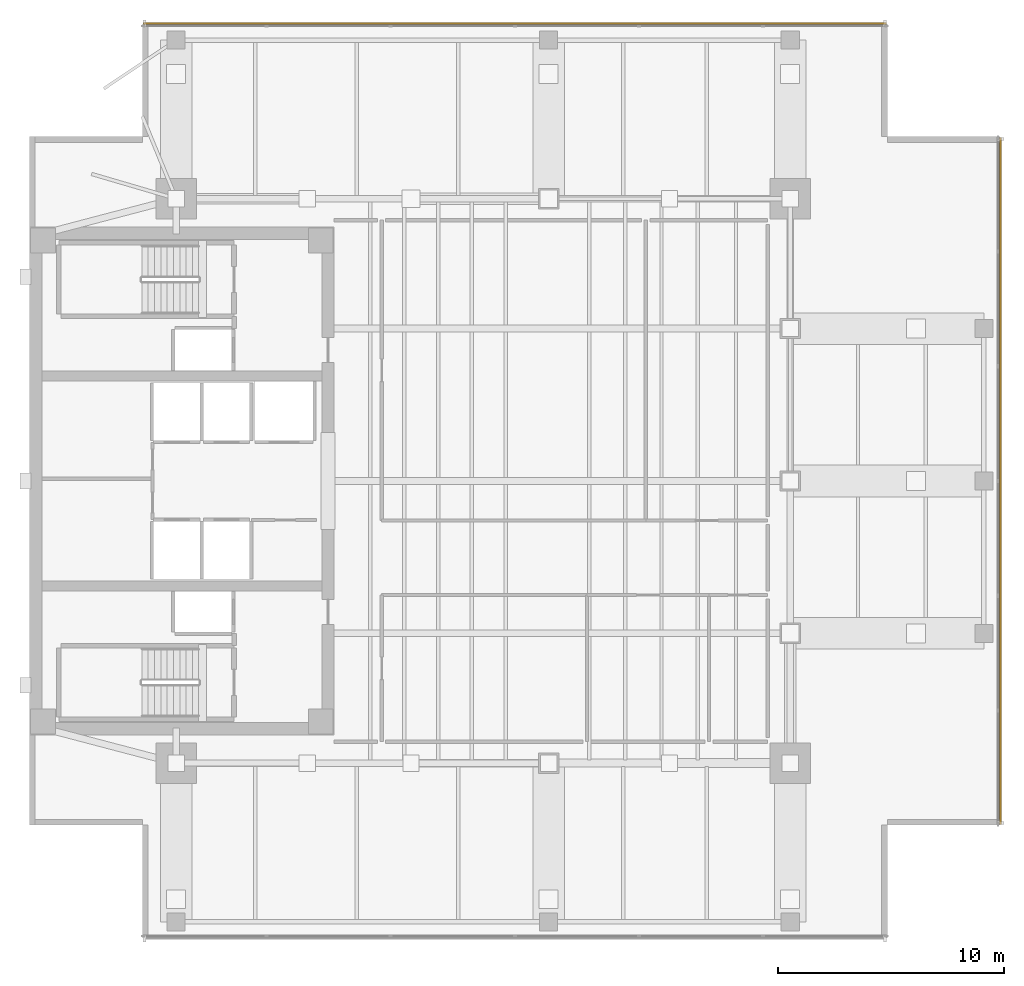
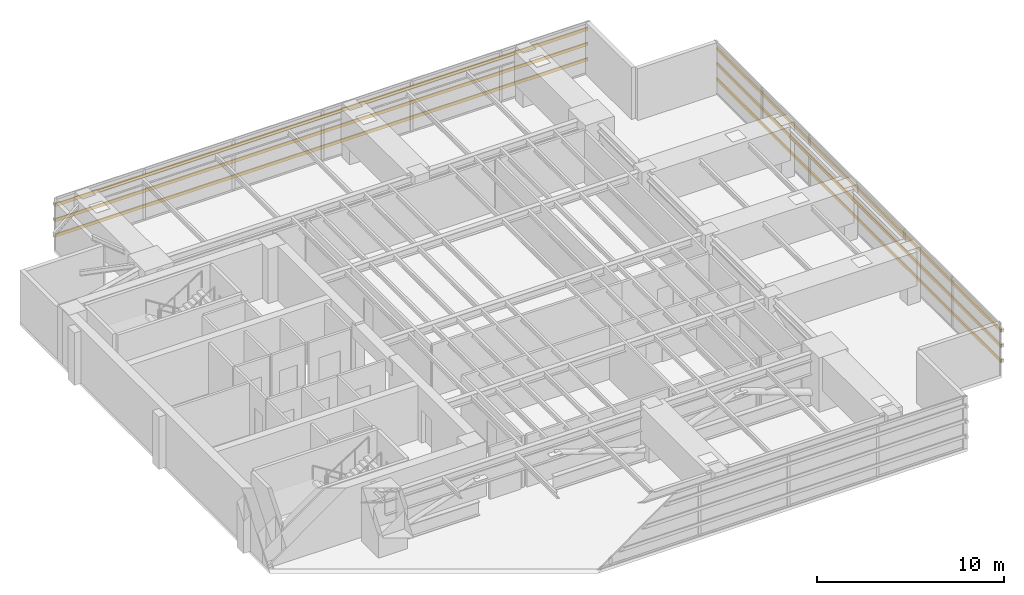
# One storey, part 13 of 13: 6 shading devices.
"""IFC4 building model written with IfcOpenShell, lengths in metres."""

import ifcopenshell
import ifcopenshell.guid

model = None  # the IFC model being written
_history = None  # IfcOwnerHistory: only IFC2X3 demands one
_inside = {}  # id of a spatial element -> (the spatial element, [elements in it])
_under = {}  # id of a project, library or spatial element -> (it, [spatial elements below it])
_declared = {}  # id of a project -> (the project, [libraries it declares])
_typed = {}  # id of a type object -> (the type object, [elements of that type])
_made_of = {}  # id of a material, layer set ... -> (it, [elements and type objects made of it])


def new_model(schema):
    """Start an empty IFC model of exactly this schema.

    Asked for "IFC4X3", IfcOpenShell would pick the latest addendum, in which some entities
    have other attributes; the version numbers below select the first issue.
    IFC2X3 requires an IfcOwnerHistory on every rooted entity: one is made here for all.
    """
    global model, _history
    if schema == "IFC4X3":
        model = ifcopenshell.file(schema_version=(4, 3, 0, 0))
    else:
        model = ifcopenshell.file(schema=schema)
    _inside.clear()
    _under.clear()
    _declared.clear()
    _typed.clear()
    _made_of.clear()
    _history = None
    if model.schema == "IFC2X3":
        org = make("IfcOrganization", Name="unknown")
        user = make(
            "IfcPersonAndOrganization",
            ThePerson=make("IfcPerson", FamilyName="unknown"),
            TheOrganization=org,
        )
        app = make(
            "IfcApplication",
            ApplicationDeveloper=org,
            Version="unknown",
            ApplicationFullName="unknown",
            ApplicationIdentifier="unknown",
        )
        _history = make(
            "IfcOwnerHistory",
            OwningUser=user,
            OwningApplication=app,
            ChangeAction="ADDED",
            CreationDate=0,
        )
    return model


def make(cls, **values):
    """One entity of the class cls with the attributes given. An attribute that is None is left unset."""
    return model.create_entity(
        cls, **{name: value for name, value in values.items() if value is not None}
    )


def rooted(cls, **values):
    """An entity with a GlobalId (a new one), such as an element, a storey or a relation."""
    return make(cls, GlobalId=ifcopenshell.guid.new(), OwnerHistory=_history, **values)


def si_unit(unit_type, name, prefix=None):
    """IfcSIUnit, for example si_unit("LENGTHUNIT", "METRE", prefix="MILLI")."""
    return make("IfcSIUnit", UnitType=unit_type, Prefix=prefix, Name=name)


def assignment(units):
    """IfcUnitAssignment: the units of a project."""
    return None if units is None else make("IfcUnitAssignment", Units=units)


def point(xyz):
    """IfcCartesianPoint."""
    return None if xyz is None else make("IfcCartesianPoint", Coordinates=xyz)


def direction(xyz):
    """IfcDirection."""
    return None if xyz is None else make("IfcDirection", DirectionRatios=xyz)


def frame(location, z_axis=None, x_axis=None):
    """IfcAxis2Placement3D, a coordinate frame: its origin and axes. An axis left out is left unset."""
    return make(
        "IfcAxis2Placement3D",
        Location=point(location),
        Axis=direction(z_axis),
        RefDirection=direction(x_axis),
    )


def frame_2d(location, x_axis=None):
    """IfcAxis2Placement2D, a coordinate frame in the plane: its origin and x axis."""
    return make(
        "IfcAxis2Placement2D", Location=point(location), RefDirection=direction(x_axis)
    )


def origin():
    """The frame at (0, 0, 0) with its axes left unset."""
    return frame((0.0, 0.0, 0.0))


def origin_2d():
    """The frame at (0, 0) in the plane with its x axis left unset."""
    return frame_2d((0.0, 0.0))


def place(relative_to, where):
    """IfcLocalPlacement: puts the frame where relative to a parent placement (None: the world)."""
    return make(
        "IfcLocalPlacement", PlacementRelTo=relative_to, RelativePlacement=where
    )


def context(
    kind, dimensions, precision=None, world=None, true_north=None, identifier=None
):
    """IfcGeometricRepresentationContext, for example the 3D "Model" context."""
    return make(
        "IfcGeometricRepresentationContext",
        ContextIdentifier=identifier,
        ContextType=kind,
        CoordinateSpaceDimension=dimensions,
        Precision=precision,
        WorldCoordinateSystem=world,
        TrueNorth=true_north,
    )


def subcontext(parent, identifier, kind, view, scale=None):
    """IfcGeometricRepresentationSubContext, for example "Body" below "Model"."""
    return make(
        "IfcGeometricRepresentationSubContext",
        ContextIdentifier=identifier,
        ContextType=kind,
        ParentContext=parent,
        TargetScale=scale,
        TargetView=view,
    )


def project(units=None, contexts=None):
    """IfcProject with its units and contexts."""
    return rooted(
        "IfcProject",
        Name="project",
        RepresentationContexts=contexts,
        UnitsInContext=assignment(units),
    )


def spatial(cls, under=None, at=None, **own):
    """A site, building, storey or space (cls), placed at a placement, below another one or the project."""
    s = rooted(cls, ObjectPlacement=at, **own)
    if under is not None:
        _under.setdefault(under.id(), (under, []))[1].append(s)
    return s


def profile(cls, at=None, kind="AREA", **sizes):
    """A parametric profile (cls). Its sizes go by their IFC names, for example OverallWidth=200.0."""
    return make(cls, ProfileType=kind, Position=at, **sizes)


def rectangle(**sizes):
    """IfcRectangleProfileDef."""
    return profile("IfcRectangleProfileDef", **sizes)


def extrude(swept, where, along, depth):
    """IfcExtrudedAreaSolid: the profile swept, set in the frame where, extruded along a direction by depth."""
    return make(
        "IfcExtrudedAreaSolid",
        SweptArea=swept,
        Position=where,
        ExtrudedDirection=direction(along),
        Depth=depth,
    )


def shape(context_of_items, identifier, shape_type, items):
    """IfcShapeRepresentation: the items that make up one representation, for example the "Body"."""
    return make(
        "IfcShapeRepresentation",
        ContextOfItems=context_of_items,
        RepresentationIdentifier=identifier,
        RepresentationType=shape_type,
        Items=items,
    )


def material(Name=None, Category=None):
    """IfcMaterial."""
    return make("IfcMaterial", Name=Name, Category=Category)


def material_profile(
    of_material, cross_section, Name=None, Category=None, Priority=None
):
    """IfcMaterialProfile: a cross section and its material."""
    return make(
        "IfcMaterialProfile",
        Name=Name,
        Material=of_material,
        Profile=cross_section,
        Priority=Priority,
        Category=Category,
    )


def profile_set(profiles, Name=None, composite=None):
    """IfcMaterialProfileSet."""
    return make(
        "IfcMaterialProfileSet",
        Name=Name,
        MaterialProfiles=profiles,
        CompositeProfile=composite,
    )


def made_of(thing, what):
    """Note that an element or type object is made of a material, layer set ...; save() writes the relation."""
    if what is not None:
        _made_of.setdefault(what.id(), (what, []))[1].append(thing)
    return thing


def type_object(cls, material=None, **own):
    """A type object (cls), such as IfcWallType, which elements share."""
    return made_of(rooted(cls, **own), material)


def element(
    cls,
    number,
    at=None,
    inside=None,
    cuts=None,
    type_object=None,
    material=None,
    context=None,
    identifier="Body",
    shape_type=None,
    held_by="IfcProductDefinitionShape",
    body=None,
    shapes=None,
    **own,
):
    """One element of the class cls, such as IfcWall. Its Tag is "e" and its number.

    at: its placement. inside: the storey or other place that contains it. cuts: it is an
    opening in that element (IfcRelVoidsElement). A single representation is given by context,
    identifier, shape_type and body (its items); several are given by shapes. held_by: the class
    of the entity that holds the representations. save() writes the other relations.
    """
    e = rooted(cls, Tag="e%d" % number, ObjectPlacement=at, **own)
    if body is not None:
        shapes = [shape(context, identifier, shape_type, body)]
    if shapes is not None:
        e.Representation = make(held_by, Representations=shapes)
    if inside is not None:
        _inside.setdefault(inside.id(), (inside, []))[1].append(e)
    if cuts is not None:
        rooted(
            "IfcRelVoidsElement", RelatingBuildingElement=cuts, RelatedOpeningElement=e
        )
    if type_object is not None:
        _typed.setdefault(type_object.id(), (type_object, []))[1].append(e)
    return made_of(e, material)


def aggregate(whole, parts):
    """IfcRelAggregates: a whole, such as a stair, and the parts it consists of."""
    return rooted("IfcRelAggregates", RelatingObject=whole, RelatedObjects=parts)


def save(model, path):
    """Write the relations noted so far, then the file.

    IfcRelAggregates (storeys below a building ...), IfcRelContainedInSpatialStructure (elements
    in a storey), IfcRelDefinesByType, IfcRelAssociatesMaterial and IfcRelDeclares: one each for
    every whole, place, type object, material and project.
    """
    for whole, parts in _under.values():
        aggregate(whole, parts)
    for where, things in _inside.values():
        rooted(
            "IfcRelContainedInSpatialStructure",
            RelatedElements=things,
            RelatingStructure=where,
        )
    for kind, things in _typed.values():
        rooted("IfcRelDefinesByType", RelatedObjects=things, RelatingType=kind)
    for what, things in _made_of.values():
        rooted("IfcRelAssociatesMaterial", RelatedObjects=things, RelatingMaterial=what)
    for by, libraries in _declared.values():
        rooted("IfcRelDeclares", RelatingContext=by, RelatedDefinitions=libraries)
    model.write(path)


model = new_model("IFC4")

# Units and contexts
model_context = context("Model", 3, precision=1e-05, world=origin(), true_north=direction((0.0, 1.0)))
body_context = subcontext(model_context, "Body", "Model", "MODEL_VIEW")
ifc_project = project(units=[si_unit("LENGTHUNIT", "METRE"), si_unit("AREAUNIT", "SQUARE_METRE"), si_unit("VOLUMEUNIT", "CUBIC_METRE"), si_unit("PLANEANGLEUNIT", "RADIAN"), si_unit("MASSUNIT", "GRAM", prefix="KILO")], contexts=[model_context])

# Site, building, storey
site_placement = place(None, origin())
site = spatial("IfcSite", under=ifc_project, at=site_placement, CompositionType="ELEMENT")
building_placement = place(site_placement, origin())
building = spatial("IfcBuilding", under=site, at=building_placement, Name="Kinhvarn Gate Tower", CompositionType="ELEMENT")
storey_placement = place(building_placement, frame((0.0, 0.0, 241.300048828125)))
storey = spatial("IfcBuildingStorey", under=building, at=storey_placement, Name="L64", CompositionType="ELEMENT", Elevation=241.300048828125)

# Shading devices
ifc_material = material(Name="Anodised aluminium AW-6063", Category="aluminium")
ifc_material_profile = material_profile(ifc_material, rectangle(XDim=0.074951171875, YDim=0.199951171875, at=origin_2d()), Name="LOUVRE 75x200")
ifc_profile_set = profile_set([ifc_material_profile], Name="Anodised aluminium AW-6063")
shading_device_type = type_object("IfcShadingDeviceType", Name="SHD-LVR-200", PredefinedType="JALOUSIE", material=ifc_profile_set)
for number, where, z_axis, x_axis, name in (
    (1, (42.4599609375, 45.512451171875, 0.849853515625), (-1.0, 0.0, 0.0), (0.0, -1.0, 0.0), "Anodised Aluminium Acoustic Plant Louvre Blade 75x200 mm (L64)"),
    (2, (42.4599609375, 45.512451171875, 1.849853515625), (-1.0, 0.0, 0.0), (0.0, -1.0, 0.0), "Anodised Aluminium Acoustic Plant Louvre Blade 75x200 mm (L64)"),
    (3, (42.4599609375, 45.512451171875, 2.83984375), (-1.0, 0.0, 0.0), (0.0, -1.0, 0.0), "Anodised Aluminium Acoustic Plant Louvre Blade 75x200 mm (L64)"),
):
    element("IfcShadingDevice", number, at=place(storey_placement, frame(where, z_axis=z_axis, x_axis=x_axis)), inside=storey, type_object=shading_device_type, Name=name, PredefinedType="JALOUSIE", context=body_context, shape_type="SweptSolid", body=[
        extrude(rectangle(XDim=0.074951171875, YDim=0.199951171875, at=origin_2d()), origin(), (0.0, 0.0, 1.0), 32.919921875),
    ])
for number, where, z_axis, x_axis, name in (
    (4, (47.512451171875, 10.0400390625, 0.849853515625), (0.0, 1.0, 0.0), (-1.0, 0.0, 0.0), "Anodised Aluminium Acoustic Plant Louvre Blade 75x200 mm (L64)"),
    (5, (47.512451171875, 10.0400390625, 1.849853515625), (0.0, 1.0, 0.0), (-1.0, 0.0, 0.0), "Anodised Aluminium Acoustic Plant Louvre Blade 75x200 mm (L64)"),
    (6, (47.512451171875, 10.0400390625, 2.83984375), (0.0, 1.0, 0.0), (-1.0, 0.0, 0.0), "Anodised Aluminium Acoustic Plant Louvre Blade 75x200 mm (L64)"),
):
    element("IfcShadingDevice", number, at=place(storey_placement, frame(where, z_axis=z_axis, x_axis=x_axis)), inside=storey, type_object=shading_device_type, Name=name, PredefinedType="JALOUSIE", context=body_context, shape_type="SweptSolid", body=[
        extrude(rectangle(XDim=0.074951171875, YDim=0.199951171875, at=origin_2d()), origin(), (0.0, 0.0, 1.0), 30.419921875),
    ])

save(model, "model.ifc")
